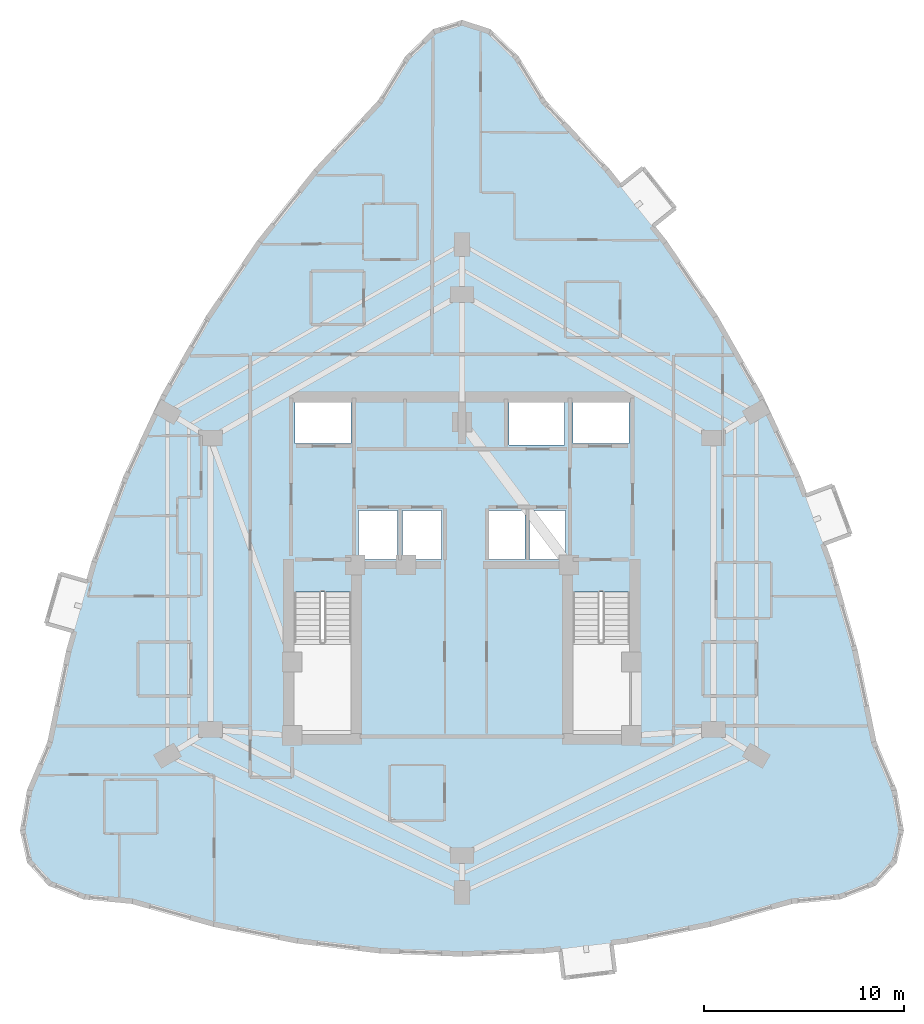
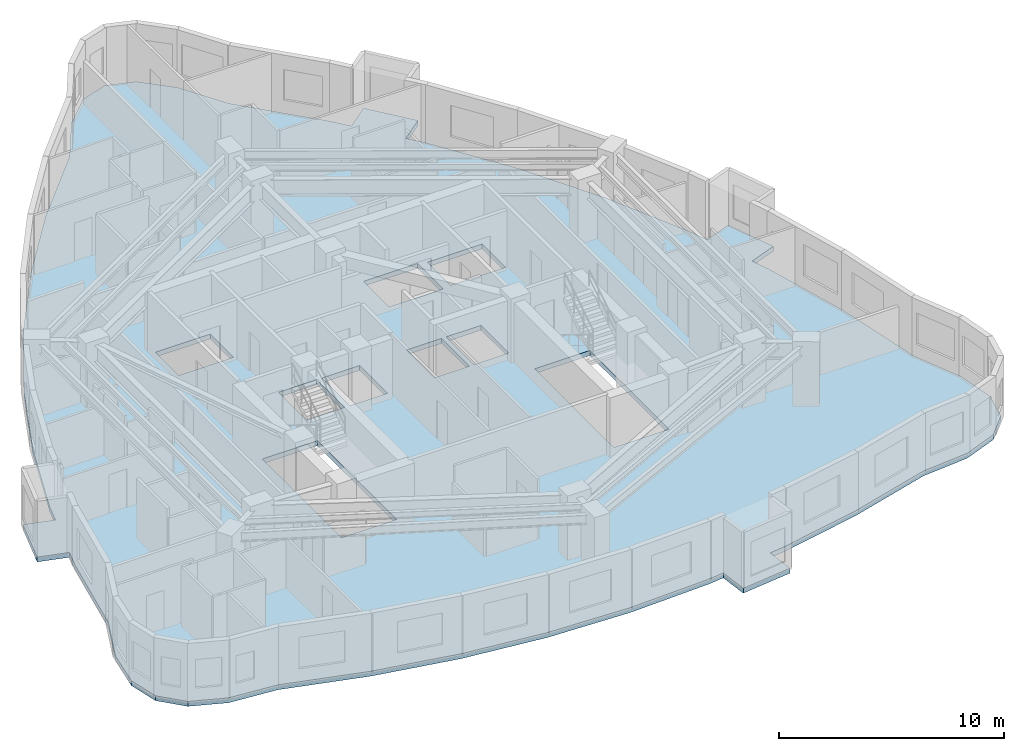
# One storey, part 5 of 14: 1 slab.
"""IFC4 building model written with IfcOpenShell, lengths in metres."""

from ifc_helpers import new_model, si_unit, direction, frame, origin, place, context, subcontext, project, spatial, polyline, outline, extrude, material, layer, layer_set, type_object, element, save


model = new_model("IFC4")

# Units and contexts
model_context = context("Model", 3, precision=1e-05, world=origin(), true_north=direction((0.0, 1.0)))
body_context = subcontext(model_context, "Body", "Model", "MODEL_VIEW")
ifc_project = project(units=[si_unit("LENGTHUNIT", "METRE"), si_unit("AREAUNIT", "SQUARE_METRE"), si_unit("VOLUMEUNIT", "CUBIC_METRE"), si_unit("PLANEANGLEUNIT", "RADIAN"), si_unit("MASSUNIT", "GRAM", prefix="KILO")], contexts=[model_context])

# Site, building, storey
site_placement = place(None, origin())
site = spatial("IfcSite", under=ifc_project, at=site_placement, CompositionType="ELEMENT")
building_placement = place(site_placement, origin())
building = spatial("IfcBuilding", under=site, at=building_placement, Name="Miruveldt Soraemaru", CompositionType="ELEMENT")
storey_placement = place(building_placement, frame((0.0, 0.0, 117.89990234375)))
storey = spatial("IfcBuildingStorey", under=building, at=storey_placement, Name="L32", CompositionType="ELEMENT", Elevation=117.89990234375)

# Slab
ifc_material = material(Name="Concrete C40/50 (40 MPa)", Category="concrete")
ifc_layer = layer(ifc_material, 0.264892578125, Name="Concrete C40/50 (40 MPa)", Category="concrete")
ifc_layer_set = layer_set([ifc_layer], Name="Concrete C40/50 (40 MPa)")
slab_type = type_object("IfcSlabType", Name="SLAB-RES2-265", PredefinedType="FLOOR", material=ifc_layer_set)
slab_placement = place(storey_placement, frame((0.0, 0.0, -0.264892578125)))
element("IfcSlab", 1, at=slab_placement, inside=storey, type_object=slab_type, Name="L32 Structural Floor Slab", PredefinedType="FLOOR", context=body_context, shape_type="SweptSolid", body=[
    extrude(outline(polyline([(25.583251953125, 44.16650390625), (27.168701171875, 48.423095703125), (29.07470703125, 52.5146484375), (31.3017578125, 56.44091796875), (33.849365234375, 60.20166015625), (36.717529296875, 63.797119140625), (39.906494140625, 67.227294921875), (41.27099609375, 69.43310546875), (42.635498046875, 70.756591796875), (44.0, 71.19775390625), (45.364501953125, 70.756591796875), (46.72900390625, 69.43310546875), (48.093505859375, 67.227294921875), (51.282470703125, 63.797119140625), (51.906005859375, 63.015625), (53.06298828125, 63.938720703125), (54.684326171875, 61.906005859375), (53.52734375, 60.983154296875), (52.716552734375, 61.99951171875), (54.150634765625, 60.20166015625), (56.6982421875, 56.44091796875), (58.92529296875, 52.5146484375), (60.831298828125, 48.423095703125), (61.17041015625, 47.512939453125), (62.55712890625, 48.029541015625), (63.464599609375, 45.59326171875), (62.077880859375, 45.07666015625), (62.416748046875, 44.16650390625), (63.681396484375, 39.744140625), (64.62548828125, 35.15673828125), (65.64892578125, 32.73046875), (65.989990234375, 30.7451171875), (65.64892578125, 29.201171875), (64.62548828125, 28.09814453125), (62.919921875, 27.436279296875), (60.531982421875, 27.2158203125), (56.399169921875, 26.05859375), (52.26611328125, 25.23193359375), (51.490234375, 25.138916015625), (51.66650390625, 23.66943359375), (49.085205078125, 23.359619140625), (48.90869140625, 24.8291015625), (50.199462890625, 24.98388671875), (48.133056640625, 24.736083984375), (44.0, 24.57080078125), (39.866943359375, 24.736083984375), (35.73388671875, 25.23193359375), (31.600830078125, 26.05859375), (27.468017578125, 27.2158203125), (25.080078125, 27.436279296875), (23.37451171875, 28.09814453125), (22.35107421875, 29.201171875), (22.010009765625, 30.7451171875), (22.35107421875, 32.73046875), (23.37451171875, 35.15673828125), (24.318603515625, 39.744140625), (24.593505859375, 40.705322265625), (23.17041015625, 41.1123046875), (23.88525390625, 43.612060546875), (25.308349609375, 43.205078125), (25.583251953125, 44.16650390625)]), holes=[polyline([(35.614990234375, 35.6650390625), (38.43505859375, 35.6650390625), (38.43505859375, 42.68505859375), (35.614990234375, 42.68505859375), (35.614990234375, 35.6650390625)]), polyline([(49.56494140625, 35.6650390625), (52.385009765625, 35.6650390625), (52.385009765625, 42.68505859375), (49.56494140625, 42.68505859375), (49.56494140625, 35.6650390625)]), polyline([(40.764892578125, 44.31494140625), (40.764892578125, 46.784912109375), (38.81494140625, 46.784912109375), (38.81494140625, 44.31494140625), (40.764892578125, 44.31494140625)]), polyline([(42.965087890625, 44.31494140625), (42.965087890625, 46.784912109375), (41.034912109375, 46.784912109375), (41.034912109375, 44.31494140625), (42.965087890625, 44.31494140625)]), polyline([(47.1650390625, 44.31494140625), (47.1650390625, 46.784912109375), (45.364990234375, 46.784912109375), (45.364990234375, 44.31494140625), (47.1650390625, 44.31494140625)]), polyline([(49.18505859375, 44.31494140625), (49.18505859375, 46.784912109375), (47.39501953125, 46.784912109375), (47.39501953125, 44.31494140625), (49.18505859375, 44.31494140625)]), polyline([(38.445068359375, 50.135009765625), (38.445068359375, 52.205078125), (35.635009765625, 52.205078125), (35.635009765625, 50.135009765625), (38.445068359375, 50.135009765625)]), polyline([(49.554931640625, 50.135009765625), (52.364990234375, 50.135009765625), (52.364990234375, 52.205078125), (49.554931640625, 52.205078125), (49.554931640625, 50.135009765625)]), polyline([(46.364990234375, 50.06494140625), (49.135009765625, 50.06494140625), (49.135009765625, 52.3349609375), (46.364990234375, 52.3349609375), (46.364990234375, 50.06494140625)])]), origin(), (0.0, 0.0, 1.0), 0.264892578125),
])

save(model, "model.ifc")
